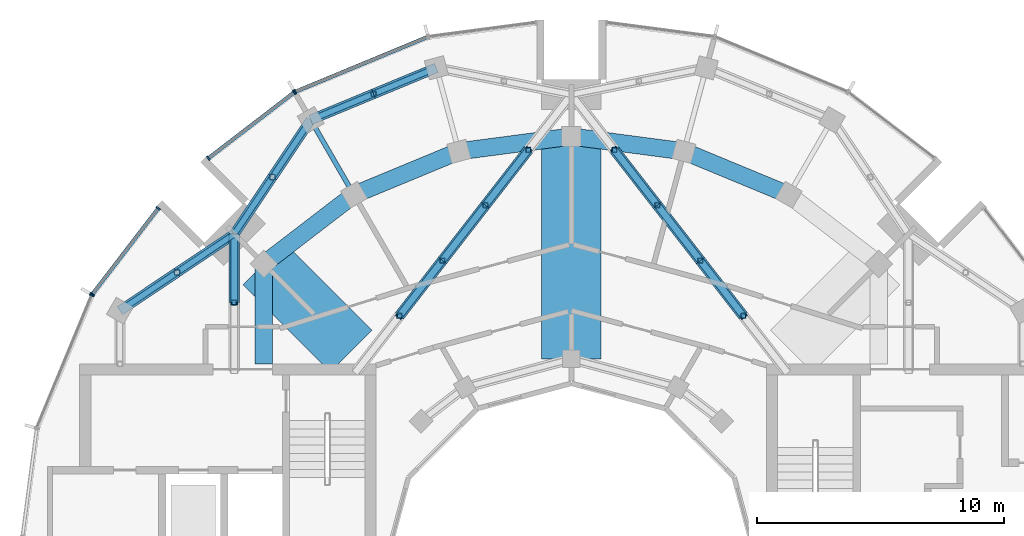
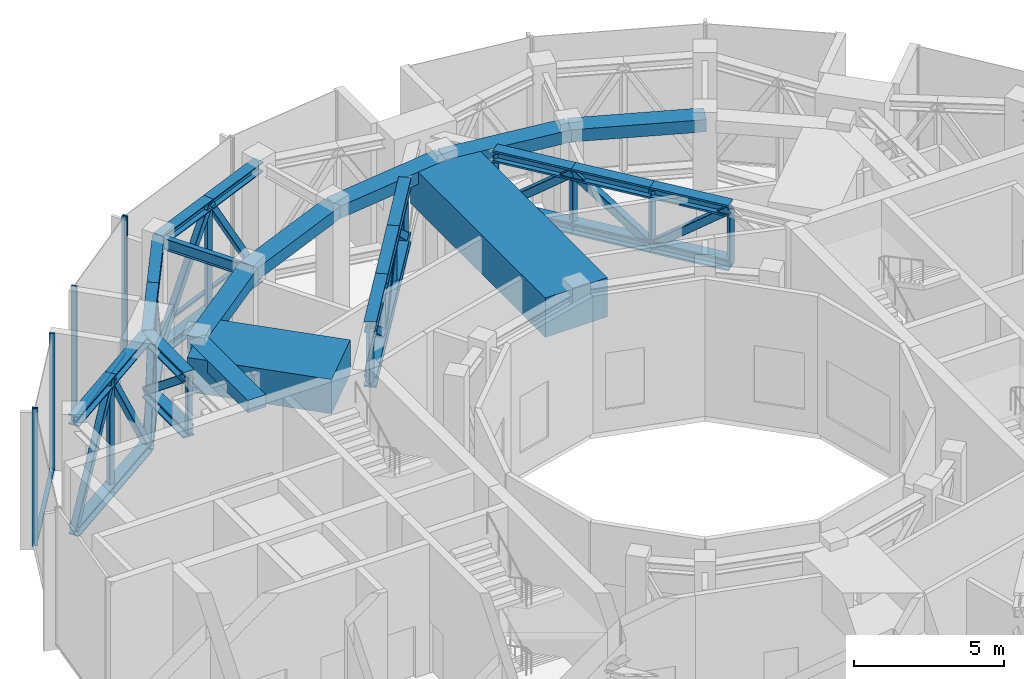
# One storey, part 7 of 17: 60 members, 9 beams, 4 elements without a shape of their own.
"""IFC4 building model written with IfcOpenShell, lengths in metres."""

from ifc_helpers import new_model, si_unit, direction, frame, origin, origin_2d, place, context, subcontext, project, spatial, rectangle, hollow_rectangle, i_section, extrude, material, layer, layer_set, material_profile, profile_set, type_object, element, aggregate, save


model = new_model("IFC4")

# Units and contexts
model_context = context("Model", 3, precision=1e-05, world=origin(), true_north=direction((0.0, 1.0)))
body_context = subcontext(model_context, "Body", "Model", "MODEL_VIEW")
ifc_project = project(units=[si_unit("LENGTHUNIT", "METRE"), si_unit("AREAUNIT", "SQUARE_METRE"), si_unit("VOLUMEUNIT", "CUBIC_METRE"), si_unit("PLANEANGLEUNIT", "RADIAN"), si_unit("MASSUNIT", "GRAM", prefix="KILO")], contexts=[model_context])

# Site, building, storey
site_placement = place(None, origin())
site = spatial("IfcSite", under=ifc_project, at=site_placement, CompositionType="ELEMENT")
building_placement = place(site_placement, origin())
building = spatial("IfcBuilding", under=site, at=building_placement, Name="Torre Brocal", CompositionType="ELEMENT")
storey_placement = place(building_placement, frame((0.0, 0.0, 309.300048828125)))
storey = spatial("IfcBuildingStorey", under=building, at=storey_placement, Name="L71", CompositionType="ELEMENT", Elevation=309.300048828125)

# Members
ifc_material_1 = material(Name="Steel A500 Grade C", Category="steel")
ifc_material_profile_1 = material_profile(ifc_material_1, hollow_rectangle(XDim=0.203125, YDim=0.203125, WallThickness=0.01171875, InnerFilletRadius=0.01171875, OuterFilletRadius=0.023681640625, at=origin_2d()), Name="HSS8X8X1/2")
ifc_profile_set_1 = profile_set([ifc_material_profile_1], Name="Steel A500 Grade C")
member_type_1 = type_object("IfcMemberType", Name="BELT 3 POST HSS8X8X1/2", PredefinedType="POST", material=ifc_profile_set_1)
for number, where, z_axis, x_axis, name in (
    (1, (71.994384765625, 94.3271484375, 0.599365234375), (0.0, 0.0, 1.0), (1.0, 0.0, 0.0), "Member BT3-P06"),
    (2, (67.9013671875, 90.960205078125, 0.599365234375), (0.0, 0.0, 1.0), (1.0, 0.0, 0.0), "Member BT3-P07"),
    (3, (64.039794921875, 87.0986328125, 0.599365234375), (0.0, 0.0, 1.0), (1.0, 0.0, 0.0), "Member BT3-P08"),
):
    element("IfcMember", number, at=place(storey_placement, frame(where, z_axis=z_axis, x_axis=x_axis)), inside=storey, type_object=member_type_1, Name=name, PredefinedType="POST", context=body_context, shape_type="SweptSolid", body=[
        extrude(hollow_rectangle(XDim=0.203125, YDim=0.203125, WallThickness=0.01171875, InnerFilletRadius=0.01171875, OuterFilletRadius=0.023681640625, at=origin_2d()), origin(), (0.0, 0.0, 1.0), 4.481201171875),
    ])

# Curtain wall, member
ifc_material_2 = material(Name="Aluminium and glass", Category="aluminium")
ifc_layer = layer(ifc_material_2, 0.199951171875)
ifc_layer_set = layer_set([ifc_layer], Name="Aluminium and glass")
curtain_wall_type = type_object("IfcCurtainWallType", Name="CW-1 CURTAIN WALL 5600 HIGH", PredefinedType="NOTDEFINED", material=ifc_layer_set)
curtain_wall_1_placement = place(storey_placement, origin())
curtain_wall_1 = element("IfcCurtainWall", 4, at=curtain_wall_1_placement, inside=storey, type_object=curtain_wall_type, Name="CW-1 RUN 8", PredefinedType="NOTDEFINED")
ifc_material_3 = material(Name="Aluminium, dark anodised", Category="aluminium")
ifc_material_profile_2 = material_profile(ifc_material_3, rectangle(XDim=0.199951171875, YDim=0.06005859375, at=origin_2d()), Name="CW-1 MULLION 60X200")
ifc_profile_set_2 = profile_set([ifc_material_profile_2], Name="Aluminium, dark anodised")
member_type_2 = type_object("IfcMemberType", Name="CW-1 MULLION 60X200", PredefinedType="MULLION", material=ifc_profile_set_2)
member_1_placement = place(storey_placement, frame((68.828125, 94.40966796875, 0.0), z_axis=(0.0, 0.0, 1.0), x_axis=(0.382683432284, -0.923879532545, 0.0)))
member_1 = element("IfcMember", 5, at=member_1_placement, type_object=member_type_2, Name="CW1-2 mullion 2", PredefinedType="MULLION", context=body_context, shape_type="SweptSolid", body=[
    extrude(rectangle(XDim=0.199951171875, YDim=0.06005859375, at=origin_2d()), origin(), (0.0, 0.0, 1.0), 5.599853515625),
])

# Curtain wall, members
curtain_wall_2_placement = place(storey_placement, origin())
curtain_wall_2 = element("IfcCurtainWall", 6, at=curtain_wall_2_placement, inside=storey, type_object=curtain_wall_type, Name="CW-1 RUN 9", PredefinedType="NOTDEFINED")
member_2_placement = place(storey_placement, frame((68.776611328125, 94.3798828125, 0.0), z_axis=(0.0, 0.0, 1.0), x_axis=(0.608761429064, -0.793353340249, 0.0)))
member_2 = element("IfcMember", 7, at=member_2_placement, type_object=member_type_2, Name="CW1-2 mullion 1", PredefinedType="MULLION", context=body_context, shape_type="SweptSolid", body=[
    extrude(rectangle(XDim=0.199951171875, YDim=0.06005859375, at=origin_2d()), origin(), (0.0, 0.0, 1.0), 5.599853515625),
])
member_3_placement = place(storey_placement, frame((65.305419921875, 91.716552734375, 0.0), z_axis=(0.0, 0.0, 1.0), x_axis=(0.608761429064, -0.793353340249, 0.0)))
member_3 = element("IfcMember", 8, at=member_3_placement, type_object=member_type_2, Name="CW1-2 mullion 2", PredefinedType="MULLION", context=body_context, shape_type="SweptSolid", body=[
    extrude(rectangle(XDim=0.199951171875, YDim=0.06005859375, at=origin_2d()), origin(), (0.0, 0.0, 1.0), 5.599853515625),
])

curtain_wall_3_placement = place(storey_placement, origin())
curtain_wall_3 = element("IfcCurtainWall", 9, at=curtain_wall_3_placement, inside=storey, type_object=curtain_wall_type, Name="CW-1 RUN 10", PredefinedType="NOTDEFINED")
member_4_placement = place(storey_placement, frame((63.283447265625, 89.694580078125, 0.0), z_axis=(0.0, 0.0, 1.0), x_axis=(0.793353340249, -0.608761429064, 0.0)))
member_4 = element("IfcMember", 10, at=member_4_placement, type_object=member_type_2, Name="CW1-2 mullion 1", PredefinedType="MULLION", context=body_context, shape_type="SweptSolid", body=[
    extrude(rectangle(XDim=0.199951171875, YDim=0.06005859375, at=origin_2d()), origin(), (0.0, 0.0, 1.0), 5.599853515625),
])
member_5_placement = place(storey_placement, frame((60.6201171875, 86.223388671875, 0.0), z_axis=(0.0, 0.0, 1.0), x_axis=(0.793353340249, -0.608761429064, 0.0)))
member_5 = element("IfcMember", 11, at=member_5_placement, type_object=member_type_2, Name="CW1-2 mullion 2", PredefinedType="MULLION", context=body_context, shape_type="SweptSolid", body=[
    extrude(rectangle(XDim=0.199951171875, YDim=0.06005859375, at=origin_2d()), origin(), (0.0, 0.0, 1.0), 5.599853515625),
])

# Curtain wall, member
curtain_wall_4_placement = place(storey_placement, origin())
curtain_wall_4 = element("IfcCurtainWall", 12, at=curtain_wall_4_placement, inside=storey, type_object=curtain_wall_type, Name="CW-1 RUN 11", PredefinedType="NOTDEFINED")
member_6_placement = place(storey_placement, frame((60.59033203125, 86.171875, 0.0), z_axis=(0.0, 0.0, 1.0), x_axis=(0.923879532545, -0.382683432284, 0.0)))
member_6 = element("IfcMember", 13, at=member_6_placement, type_object=member_type_2, Name="CW1-2 mullion 1", PredefinedType="MULLION", context=body_context, shape_type="SweptSolid", body=[
    extrude(rectangle(XDim=0.199951171875, YDim=0.06005859375, at=origin_2d()), origin(), (0.0, 0.0, 1.0), 5.599853515625),
])
aggregate(curtain_wall_4, [member_6])

# Member
ifc_material_4 = material(Name="Aluminium, dark anodised", Category="aluminium")
ifc_material_profile_3 = material_profile(ifc_material_4, rectangle(XDim=0.159912109375, YDim=0.080078125, at=origin_2d()), Name="CW-1 TRANSOM 160X80")
ifc_profile_set_3 = profile_set([ifc_material_profile_3], Name="Aluminium, dark anodised")
member_type_3 = type_object("IfcMemberType", Name="CW-1 TRANSOM 160X80", PredefinedType="USERDEFINED", material=ifc_profile_set_3)
member_7_placement = place(storey_placement, frame((74.147216796875, 96.613037109375, 0.0400390625), z_axis=(-0.923868236854, -0.382710701355, 0.0), x_axis=(0.382710701355, -0.923868236854, 0.0)))
member_7 = element("IfcMember", 14, at=member_7_placement, type_object=member_type_3, Name="CW1-2 transom 1.1", ObjectType="TRANSOM", PredefinedType="USERDEFINED", context=body_context, shape_type="SweptSolid", body=[
    extrude(rectangle(XDim=0.159912109375, YDim=0.080078125, at=origin_2d()), origin(), (0.0, 0.0, 1.0), 5.727294921875),
])

aggregate(curtain_wall_1, [member_1, member_7])

member_8_placement = place(storey_placement, frame((68.7529296875, 94.36181640625, 0.0400390625), z_axis=(-0.793332201462, -0.608788976677, 0.0), x_axis=(0.608788976677, -0.793332201462, 0.0)))
member_8 = element("IfcMember", 15, at=member_8_placement, type_object=member_type_3, Name="CW1-2 transom 1.1", ObjectType="TRANSOM", PredefinedType="USERDEFINED", context=body_context, shape_type="SweptSolid", body=[
    extrude(rectangle(XDim=0.159912109375, YDim=0.080078125, at=origin_2d()), origin(), (0.0, 0.0, 1.0), 4.3154296875),
])

aggregate(curtain_wall_2, [member_2, member_3, member_8])

member_9_placement = place(storey_placement, frame((63.265380859375, 89.670654296875, 0.0400390625), z_axis=(-0.608788976677, -0.793332201462, 0.0), x_axis=(0.793332201462, -0.608788976677, 0.0)))
member_9 = element("IfcMember", 16, at=member_9_placement, type_object=member_type_3, Name="CW1-2 transom 1.1", ObjectType="TRANSOM", PredefinedType="USERDEFINED", context=body_context, shape_type="SweptSolid", body=[
    extrude(rectangle(XDim=0.159912109375, YDim=0.080078125, at=origin_2d()), origin(), (0.0, 0.0, 1.0), 4.3154296875),
])

aggregate(curtain_wall_3, [member_4, member_5, member_9])

# Members
ifc_material_5 = material(Name="Steel A500 Grade C", Category="steel")
ifc_material_profile_4 = material_profile(ifc_material_5, hollow_rectangle(XDim=0.203125, YDim=0.203125, WallThickness=0.01171875, InnerFilletRadius=0.01171875, OuterFilletRadius=0.023681640625, at=origin_2d()), Name="HSS8X8X1/2")
ifc_profile_set_4 = profile_set([ifc_material_profile_4], Name="Steel A500 Grade C")
member_type_4 = type_object("IfcMemberType", Name="OUTRIGGER 3 POST HSS8X8X1/2", PredefinedType="POST", material=ifc_profile_set_4)
for number, where, z_axis, x_axis, name in (
    (17, (86.9599609375, 85.340087890625, 2.832275390625), (0.0, 0.0, 1.0), (1.0, 0.0, 0.0), "Member OT3-P02"),
    (18, (85.219970703125, 87.580078125, 2.832275390625), (0.0, 0.0, 1.0), (1.0, 0.0, 0.0), "Member OT3-P03"),
    (19, (83.47998046875, 89.820068359375, 2.832275390625), (0.0, 0.0, 1.0), (1.0, 0.0, 0.0), "Member OT3-P04"),
    (20, (81.739990234375, 92.06005859375, 2.832275390625), (0.0, 0.0, 1.0), (1.0, 0.0, 0.0), "Member OT3-P05"),
    (21, (73.0400390625, 85.340087890625, 2.832275390625), (0.0, 0.0, 1.0), (1.0, 0.0, 0.0), "Member OT3-P06"),
    (22, (74.780029296875, 87.580078125, 2.832275390625), (0.0, 0.0, 1.0), (1.0, 0.0, 0.0), "Member OT3-P07"),
    (23, (76.52001953125, 89.820068359375, 2.832275390625), (0.0, 0.0, 1.0), (1.0, 0.0, 0.0), "Member OT3-P08"),
    (24, (78.260009765625, 92.06005859375, 2.832275390625), (0.0, 0.0, 1.0), (1.0, 0.0, 0.0), "Member OT3-P09"),
):
    element("IfcMember", number, at=place(storey_placement, frame(where, z_axis=z_axis, x_axis=x_axis)), inside=storey, type_object=member_type_4, Name=name, PredefinedType="POST", context=body_context, shape_type="SweptSolid", body=[
        extrude(hollow_rectangle(XDim=0.203125, YDim=0.203125, WallThickness=0.01171875, InnerFilletRadius=0.01171875, OuterFilletRadius=0.023681640625, at=origin_2d()), origin(), (0.0, 0.0, 1.0), 2.21533203125),
    ])
member_10_placement = place(storey_placement, frame((66.352783203125, 85.87353515625, 2.817138671875), z_axis=(0.0, 0.0, 1.0), x_axis=(1.0, 0.0, 0.0)))
element("IfcMember", 25, at=member_10_placement, inside=storey, type_object=member_type_4, Name="Member OT3-P10", PredefinedType="POST", context=body_context, shape_type="SweptSolid", body=[
    extrude(hollow_rectangle(XDim=0.203125, YDim=0.203125, WallThickness=0.01171875, InnerFilletRadius=0.01171875, OuterFilletRadius=0.023681640625, at=origin_2d()), origin(), (0.0, 0.0, 1.0), 2.24560546875),
])

# Beams
ifc_material_6 = material(Name="Steel A992", Category="steel")
ifc_material_profile_5 = material_profile(ifc_material_6, i_section(OverallWidth=0.19287109375, OverallDepth=0.46728515625, WebThickness=0.011474609375, FlangeThickness=0.01904296875, at=origin_2d()), Name="W18X65")
ifc_profile_set_5 = profile_set([ifc_material_profile_5], Name="Steel A992")
beam_type_1 = type_object("IfcBeamType", Name="PLANT FLOOR BEAM TOP 5280 W18X65", PredefinedType="BEAM", material=ifc_profile_set_5)
beam_1_placement = place(storey_placement, frame((71.199951171875, 90.241943359375, 5.046142578125), z_axis=(-0.499980071345, 0.866036909293, 0.0), x_axis=(-0.866036909293, -0.499980071345, 0.0)))
element("IfcBeam", 26, at=beam_1_placement, inside=storey, type_object=beam_type_1, Name="Beam SF-03", PredefinedType="BEAM", context=body_context, shape_type="SweptSolid", body=[
    extrude(i_section(OverallWidth=0.19287109375, OverallDepth=0.46728515625, WebThickness=0.011474609375, FlangeThickness=0.01904296875, at=origin_2d()), origin(), (0.0, 0.0, 1.0), 3.500244140625),
])
ifc_material_7 = material(Name="Concrete C50", Category="concrete")
ifc_material_profile_6 = material_profile(ifc_material_7, rectangle(XDim=0.699951171875, YDim=0.5, at=origin_2d()), Name="RC 700X500")
ifc_profile_set_6 = profile_set([ifc_material_profile_6], Name="Concrete C50")
beam_type_2 = type_object("IfcBeamType", Name="RC BEAM 700X500 C50 TOP 5280", PredefinedType="BEAM", material=ifc_profile_set_6)
beam_2_placement = place(storey_placement, frame((88.800048828125, 90.241943359375, 5.030029296875), z_axis=(-0.923878240166, 0.382686552348, 0.0), x_axis=(-0.382686552348, -0.923878240166, 0.0)))
element("IfcBeam", 27, at=beam_2_placement, inside=storey, type_object=beam_type_2, Name="Beam BT-36", PredefinedType="BEAM", context=body_context, shape_type="SweptSolid", body=[
    extrude(rectangle(XDim=0.699951171875, YDim=0.5, at=origin_2d()), origin(), (0.0, 0.0, 1.0), 4.5947265625),
])
for number, where, z_axis, x_axis, name in (
    (28, (84.55517578125, 92.000244140625, 5.030029296875), (-0.991440544449, 0.130558978332, 0.0), (-0.130558978332, -0.991440544449, 0.0), "Beam BT-36"),
    (29, (80.0, 92.60009765625, 5.030029296875), (-0.991440544449, -0.130558978332, 0.0), (0.130558978332, -0.991440544449, 0.0), "Beam BT-36"),
):
    element("IfcBeam", number, at=place(storey_placement, frame(where, z_axis=z_axis, x_axis=x_axis)), inside=storey, type_object=beam_type_2, Name=name, PredefinedType="BEAM", context=body_context, shape_type="SweptSolid", body=[
        extrude(rectangle(XDim=0.699951171875, YDim=0.5, at=origin_2d()), origin(), (0.0, 0.0, 1.0), 4.594482421875),
    ])
beam_3_placement = place(storey_placement, frame((75.44482421875, 92.000244140625, 5.030029296875), z_axis=(-0.923878240166, -0.382686552348, 0.0), x_axis=(0.382686552348, -0.923878240166, 0.0)))
element("IfcBeam", 30, at=beam_3_placement, inside=storey, type_object=beam_type_2, Name="Beam BT-36", PredefinedType="BEAM", context=body_context, shape_type="SweptSolid", body=[
    extrude(rectangle(XDim=0.699951171875, YDim=0.5, at=origin_2d()), origin(), (0.0, 0.0, 1.0), 4.5947265625),
])
beam_4_placement = place(storey_placement, frame((71.199951171875, 90.241943359375, 5.030029296875), z_axis=(-0.793358265959, -0.6087550097, 0.0), x_axis=(0.6087550097, -0.793358265959, 0.0)))
element("IfcBeam", 31, at=beam_4_placement, inside=storey, type_object=beam_type_2, Name="Beam BT-36", PredefinedType="BEAM", context=body_context, shape_type="SweptSolid", body=[
    extrude(rectangle(XDim=0.699951171875, YDim=0.5, at=origin_2d()), origin(), (0.0, 0.0, 1.0), 4.594482421875),
])
beam_5_placement = place(storey_placement, frame((67.554931640625, 87.445068359375, 5.030029296875), z_axis=(0.0, -1.0, 0.0), x_axis=(1.0, 0.0, 0.0)))
element("IfcBeam", 32, at=beam_5_placement, inside=storey, type_object=beam_type_2, Name="Beam BT-36", PredefinedType="BEAM", context=body_context, shape_type="SweptSolid", body=[
    extrude(rectangle(XDim=0.699951171875, YDim=0.5, at=origin_2d()), origin(), (0.0, 0.0, 1.0), 4.045166015625),
])
ifc_material_8 = material(Name="Concrete C60", Category="concrete")
ifc_material_profile_7 = material_profile(ifc_material_8, rectangle(XDim=2.39990234375, YDim=1.39990234375, at=origin_2d()), Name="RC 2400X1400")
ifc_profile_set_7 = profile_set([ifc_material_profile_7], Name="Concrete C60")
beam_type_3 = type_object("IfcBeamType", Name="RC TRANSFER GIRDER 2400X1400 C60 TOP 5280", PredefinedType="BEAM", material=ifc_profile_set_7)
beam_6_placement = place(storey_placement, frame((71.090576171875, 83.909423828125, 4.579833984375), z_axis=(-0.707106781187, 0.707106781187, 0.0), x_axis=(-0.707106781187, -0.707106781187, 0.0)))
element("IfcBeam", 33, at=beam_6_placement, inside=storey, type_object=beam_type_3, Name="Beam TG-09", PredefinedType="BEAM", context=body_context, shape_type="SweptSolid", body=[
    extrude(rectangle(XDim=2.39990234375, YDim=1.39990234375, at=origin_2d()), origin(), (0.0, 0.0, 1.0), 5.000244140625),
])
ifc_material_9 = material(Name="Concrete C60", Category="concrete")
ifc_material_profile_8 = material_profile(ifc_material_9, rectangle(XDim=2.39990234375, YDim=1.60009765625, at=origin_2d()), Name="RC 2400X1600")
ifc_profile_set_8 = profile_set([ifc_material_profile_8], Name="Concrete C60")
beam_type_4 = type_object("IfcBeamType", Name="RC TRANSFER GIRDER 2400X1600 C60 TOP 5280", PredefinedType="BEAM", material=ifc_profile_set_8)
beam_7_placement = place(storey_placement, frame((80.0, 83.60009765625, 4.47998046875), z_axis=(0.0, 1.0, 0.0), x_axis=(-1.0, 0.0, 0.0)))
element("IfcBeam", 34, at=beam_7_placement, inside=storey, type_object=beam_type_4, Name="Beam TG-10", PredefinedType="BEAM", context=body_context, shape_type="SweptSolid", body=[
    extrude(rectangle(XDim=2.39990234375, YDim=1.60009765625, at=origin_2d()), origin(), (0.0, 0.0, 1.0), 9.0),
])

# Members
ifc_material_10 = material(Name="Steel A992", Category="steel")
ifc_material_profile_9 = material_profile(ifc_material_10, i_section(OverallWidth=0.4013671875, OverallDepth=0.398681640625, WebThickness=0.02490234375, FlangeThickness=0.03955078125, at=origin_2d()), Name="W14X211")
ifc_profile_set_9 = profile_set([ifc_material_profile_9], Name="Steel A992")
member_type_5 = type_object("IfcMemberType", Name="TRUSS BOTTOM CHORD W14X211", PredefinedType="CHORD", material=ifc_profile_set_9)
for number, where, z_axis, x_axis, name in (
    (35, (74.538818359375, 95.381103515625, 0.599365234375), (-0.923877456038, -0.382688445377, 0.0), (0.382688445377, -0.923877456038, 0.0), "Member BT3-C22"),
    (36, (71.994384765625, 94.3271484375, 0.599365234375), (-0.923877456038, -0.382688445377, 0.0), (0.382688445377, -0.923877456038, 0.0), "Member BT3-C24"),
):
    element("IfcMember", number, at=place(storey_placement, frame(where, z_axis=z_axis, x_axis=x_axis)), inside=storey, type_object=member_type_5, Name=name, PredefinedType="CHORD", context=body_context, shape_type="SweptSolid", body=[
        extrude(i_section(OverallWidth=0.4013671875, OverallDepth=0.398681640625, WebThickness=0.02490234375, FlangeThickness=0.03955078125, at=origin_2d()), origin(), (0.0, 0.0, 1.0), 2.754150390625),
    ])
for number, where, z_axis, x_axis, name in (
    (37, (69.449951171875, 93.273193359375, 0.599365234375), (-0.556338604247, -0.830955689206, 0.0), (0.830955689206, -0.556338604247, 0.0), "Member BT3-C26"),
    (38, (67.9013671875, 90.960205078125, 0.599365234375), (-0.556338604247, -0.830955689206, 0.0), (0.830955689206, -0.556338604247, 0.0), "Member BT3-C28"),
    (39, (66.352783203125, 88.647216796875, 0.599365234375), (-0.830955689206, -0.556338604247, 0.0), (0.556338604247, -0.830955689206, 0.0), "Member BT3-C30"),
    (40, (64.039794921875, 87.0986328125, 0.599365234375), (-0.830955689206, -0.556338604247, 0.0), (0.556338604247, -0.830955689206, 0.0), "Member BT3-C32"),
):
    element("IfcMember", number, at=place(storey_placement, frame(where, z_axis=z_axis, x_axis=x_axis)), inside=storey, type_object=member_type_5, Name=name, PredefinedType="CHORD", context=body_context, shape_type="SweptSolid", body=[
        extrude(i_section(OverallWidth=0.4013671875, OverallDepth=0.398681640625, WebThickness=0.02490234375, FlangeThickness=0.03955078125, at=origin_2d()), origin(), (0.0, 0.0, 1.0), 2.783447265625),
    ])
ifc_material_11 = material(Name="Steel A992", Category="steel")
ifc_material_profile_10 = material_profile(ifc_material_11, i_section(OverallWidth=0.41162109375, OverallDepth=0.434326171875, WebThickness=0.035888671875, FlangeThickness=0.057373046875, at=origin_2d()), Name="W14X311")
ifc_profile_set_10 = profile_set([ifc_material_profile_10], Name="Steel A992")
member_type_6 = type_object("IfcMemberType", Name="TRUSS BOTTOM CHORD W14X311", PredefinedType="CHORD", material=ifc_profile_set_10)
member_11_placement = place(storey_placement, frame((66.352783203125, 85.87353515625, 2.817138671875), z_axis=(0.0, 1.0, 0.0), x_axis=(-1.0, 0.0, 0.0)))
element("IfcMember", 41, at=member_11_placement, inside=storey, type_object=member_type_6, Name="Member OT3-C28", PredefinedType="CHORD", context=body_context, shape_type="SweptSolid", body=[
    extrude(i_section(OverallWidth=0.41162109375, OverallDepth=0.434326171875, WebThickness=0.035888671875, FlangeThickness=0.057373046875, at=origin_2d()), origin(), (0.0, 0.0, 1.0), 2.773681640625),
])
ifc_material_12 = material(Name="Steel A992", Category="steel")
ifc_material_profile_11 = material_profile(ifc_material_12, i_section(OverallWidth=0.421630859375, OverallDepth=0.46484375, WebThickness=0.044921875, FlangeThickness=0.072509765625, at=origin_2d()), Name="W14X398")
ifc_profile_set_11 = profile_set([ifc_material_profile_11], Name="Steel A992")
member_type_7 = type_object("IfcMemberType", Name="TRUSS BOTTOM CHORD W14X398", PredefinedType="CHORD", material=ifc_profile_set_11)
for number, where, z_axis, x_axis, name in (
    (42, (86.9599609375, 85.340087890625, 2.832275390625), (-0.613451858445, 0.789732117474, 0.0), (-0.789732117474, -0.613451858445, 0.0), "Member OT3-C08"),
    (43, (85.219970703125, 87.580078125, 2.832275390625), (-0.613451858445, 0.789732117474, 0.0), (-0.789732117474, -0.613451858445, 0.0), "Member OT3-C10"),
    (44, (83.47998046875, 89.820068359375, 2.832275390625), (-0.613451858445, 0.789732117474, 0.0), (-0.789732117474, -0.613451858445, 0.0), "Member OT3-C12"),
    (45, (73.0400390625, 85.340087890625, 2.832275390625), (0.613451858445, 0.789732117474, 0.0), (-0.789732117474, 0.613451858445, 0.0), "Member OT3-C18"),
    (46, (74.780029296875, 87.580078125, 2.832275390625), (0.613451858445, 0.789732117474, 0.0), (-0.789732117474, 0.613451858445, 0.0), "Member OT3-C20"),
    (47, (76.52001953125, 89.820068359375, 2.832275390625), (0.613451858445, 0.789732117474, 0.0), (-0.789732117474, 0.613451858445, 0.0), "Member OT3-C22"),
):
    element("IfcMember", number, at=place(storey_placement, frame(where, z_axis=z_axis, x_axis=x_axis)), inside=storey, type_object=member_type_7, Name=name, PredefinedType="CHORD", context=body_context, shape_type="SweptSolid", body=[
        extrude(i_section(OverallWidth=0.421630859375, OverallDepth=0.46484375, WebThickness=0.044921875, FlangeThickness=0.072509765625, at=origin_2d()), origin(), (0.0, 0.0, 1.0), 2.83642578125),
    ])
ifc_material_13 = material(Name="Steel A500 Grade C", Category="steel")
ifc_material_profile_12 = material_profile(ifc_material_13, hollow_rectangle(XDim=0.25390625, YDim=0.25390625, WallThickness=0.01171875, InnerFilletRadius=0.01171875, OuterFilletRadius=0.023681640625, at=origin_2d()), Name="HSS10X10X1/2")
ifc_profile_set_12 = profile_set([ifc_material_profile_12], Name="Steel A500 Grade C")
member_type_8 = type_object("IfcMemberType", Name="TRUSS DIAGONAL HSS10X10X1/2", PredefinedType="BRACE", material=ifc_profile_set_12)
for number, where, z_axis, x_axis, name in (
    (48, (74.538818359375, 95.381103515625, 0.599365234375), (-0.483745494743, -0.200377019843, 0.851962056804), (0.382688445377, -0.923877456038, 0.0), "Member BT3-D11"),
    (49, (71.994384765625, 94.3271484375, 5.08056640625), (-0.483745494743, -0.200377019843, -0.851962056804), (0.382688445377, -0.923877456038, 0.0), "Member BT3-D12"),
):
    element("IfcMember", number, at=place(storey_placement, frame(where, z_axis=z_axis, x_axis=x_axis)), inside=storey, type_object=member_type_8, Name=name, PredefinedType="BRACE", context=body_context, shape_type="SweptSolid", body=[
        extrude(hollow_rectangle(XDim=0.25390625, YDim=0.25390625, WallThickness=0.01171875, InnerFilletRadius=0.01171875, OuterFilletRadius=0.023681640625, at=origin_2d()), origin(), (0.0, 0.0, 1.0), 5.259765625),
    ])
for number, where, z_axis, x_axis, name in (
    (50, (69.449951171875, 93.273193359375, 0.599365234375), (-0.293551613622, -0.438453095926, 0.849462378692), (0.830955689206, -0.556338604247, 0.0), "Member BT3-D13"),
    (51, (67.9013671875, 90.960205078125, 5.08056640625), (-0.293551613622, -0.438453095926, -0.849462378692), (0.830955689206, -0.556338604247, 0.0), "Member BT3-D14"),
    (52, (66.352783203125, 88.647216796875, 0.599365234375), (-0.438453095926, -0.293551613622, 0.849462378692), (0.556338604247, -0.830955689206, 0.0), "Member BT3-D15"),
    (53, (64.039794921875, 87.0986328125, 5.08056640625), (-0.438453095926, -0.293551613622, -0.849462378692), (0.556338604247, -0.830955689206, 0.0), "Member BT3-D16"),
):
    element("IfcMember", number, at=place(storey_placement, frame(where, z_axis=z_axis, x_axis=x_axis)), inside=storey, type_object=member_type_8, Name=name, PredefinedType="BRACE", context=body_context, shape_type="SweptSolid", body=[
        extrude(hollow_rectangle(XDim=0.25390625, YDim=0.25390625, WallThickness=0.01171875, InnerFilletRadius=0.01171875, OuterFilletRadius=0.023681640625, at=origin_2d()), origin(), (0.0, 0.0, 1.0), 5.275390625),
    ])
ifc_material_14 = material(Name="Steel A500 Grade C", Category="steel")
ifc_material_profile_13 = material_profile(ifc_material_14, hollow_rectangle(XDim=0.3046875, YDim=0.3046875, WallThickness=0.014892578125, InnerFilletRadius=0.014892578125, OuterFilletRadius=0.029541015625, at=origin_2d()), Name="HSS12X12X5/8")
ifc_profile_set_13 = profile_set([ifc_material_profile_13], Name="Steel A500 Grade C")
member_type_9 = type_object("IfcMemberType", Name="TRUSS DIAGONAL HSS12X12X5/8", PredefinedType="BRACE", material=ifc_profile_set_13)
for number, where, z_axis, x_axis, name in (
    (54, (86.9599609375, 85.340087890625, 5.047607421875), (-0.483464594084, 0.622391981299, -0.615540581832), (-0.789732117474, -0.613451858445, 0.0), "Member OT3-D04"),
    (55, (85.219970703125, 87.580078125, 2.832275390625), (-0.483464594084, 0.622391981299, 0.615540581832), (-0.789732117474, -0.613451858445, 0.0), "Member OT3-D05"),
    (56, (83.47998046875, 89.820068359375, 5.047607421875), (-0.483464594084, 0.622391981299, -0.615540581832), (-0.789732117474, -0.613451858445, 0.0), "Member OT3-D06"),
    (57, (73.0400390625, 85.340087890625, 5.047607421875), (0.483464594084, 0.622391981299, -0.615540581832), (-0.789732117474, 0.613451858445, 0.0), "Member OT3-D09"),
    (58, (74.780029296875, 87.580078125, 2.832275390625), (0.483464594084, 0.622391981299, 0.615540581832), (-0.789732117474, 0.613451858445, 0.0), "Member OT3-D10"),
    (59, (76.52001953125, 89.820068359375, 5.047607421875), (0.483464594084, 0.622391981299, -0.615540581832), (-0.789732117474, 0.613451858445, 0.0), "Member OT3-D11"),
):
    element("IfcMember", number, at=place(storey_placement, frame(where, z_axis=z_axis, x_axis=x_axis)), inside=storey, type_object=member_type_9, Name=name, PredefinedType="BRACE", context=body_context, shape_type="SweptSolid", body=[
        extrude(hollow_rectangle(XDim=0.3046875, YDim=0.3046875, WallThickness=0.014892578125, InnerFilletRadius=0.014892578125, OuterFilletRadius=0.029541015625, at=origin_2d()), origin(), (0.0, 0.0, 1.0), 3.59912109375),
    ])
member_12_placement = place(storey_placement, frame((66.352783203125, 85.87353515625, 5.062744140625), z_axis=(0.0, 0.777211414075, -0.629239555203), x_axis=(-1.0, 0.0, 0.0)))
element("IfcMember", 60, at=member_12_placement, inside=storey, type_object=member_type_9, Name="Member OT3-D14", PredefinedType="BRACE", context=body_context, shape_type="SweptSolid", body=[
    extrude(hollow_rectangle(XDim=0.3046875, YDim=0.3046875, WallThickness=0.014892578125, InnerFilletRadius=0.014892578125, OuterFilletRadius=0.029541015625, at=origin_2d()), origin(), (0.0, 0.0, 1.0), 3.56884765625),
])
ifc_material_15 = material(Name="Steel A992", Category="steel")
ifc_material_profile_14 = material_profile(ifc_material_15, i_section(OverallWidth=0.4013671875, OverallDepth=0.398681640625, WebThickness=0.02490234375, FlangeThickness=0.03955078125, at=origin_2d()), Name="W14X211")
ifc_profile_set_14 = profile_set([ifc_material_profile_14], Name="Steel A992")
member_type_10 = type_object("IfcMemberType", Name="TRUSS TOP CHORD W14X211", PredefinedType="CHORD", material=ifc_profile_set_14)
for number, where, z_axis, x_axis, name in (
    (61, (74.538818359375, 95.381103515625, 5.08056640625), (-0.923877456038, -0.382688445377, 0.0), (0.382688445377, -0.923877456038, 0.0), "Member BT3-C21"),
    (62, (71.994384765625, 94.3271484375, 5.08056640625), (-0.923877456038, -0.382688445377, 0.0), (0.382688445377, -0.923877456038, 0.0), "Member BT3-C23"),
):
    element("IfcMember", number, at=place(storey_placement, frame(where, z_axis=z_axis, x_axis=x_axis)), inside=storey, type_object=member_type_10, Name=name, PredefinedType="CHORD", context=body_context, shape_type="SweptSolid", body=[
        extrude(i_section(OverallWidth=0.4013671875, OverallDepth=0.398681640625, WebThickness=0.02490234375, FlangeThickness=0.03955078125, at=origin_2d()), origin(), (0.0, 0.0, 1.0), 2.754150390625),
    ])
for number, where, z_axis, x_axis, name in (
    (63, (69.449951171875, 93.273193359375, 5.08056640625), (-0.556338604247, -0.830955689206, 0.0), (0.830955689206, -0.556338604247, 0.0), "Member BT3-C25"),
    (64, (67.9013671875, 90.960205078125, 5.08056640625), (-0.556338604247, -0.830955689206, 0.0), (0.830955689206, -0.556338604247, 0.0), "Member BT3-C27"),
    (65, (66.352783203125, 88.647216796875, 5.08056640625), (-0.830955689206, -0.556338604247, 0.0), (0.556338604247, -0.830955689206, 0.0), "Member BT3-C29"),
    (66, (64.039794921875, 87.0986328125, 5.08056640625), (-0.830955689206, -0.556338604247, 0.0), (0.556338604247, -0.830955689206, 0.0), "Member BT3-C31"),
):
    element("IfcMember", number, at=place(storey_placement, frame(where, z_axis=z_axis, x_axis=x_axis)), inside=storey, type_object=member_type_10, Name=name, PredefinedType="CHORD", context=body_context, shape_type="SweptSolid", body=[
        extrude(i_section(OverallWidth=0.4013671875, OverallDepth=0.398681640625, WebThickness=0.02490234375, FlangeThickness=0.03955078125, at=origin_2d()), origin(), (0.0, 0.0, 1.0), 2.783447265625),
    ])
ifc_material_16 = material(Name="Steel A992", Category="steel")
ifc_material_profile_15 = material_profile(ifc_material_16, i_section(OverallWidth=0.41162109375, OverallDepth=0.434326171875, WebThickness=0.035888671875, FlangeThickness=0.057373046875, at=origin_2d()), Name="W14X311")
ifc_profile_set_15 = profile_set([ifc_material_profile_15], Name="Steel A992")
member_type_11 = type_object("IfcMemberType", Name="TRUSS TOP CHORD W14X311", PredefinedType="CHORD", material=ifc_profile_set_15)
member_13_placement = place(storey_placement, frame((66.352783203125, 85.87353515625, 5.062744140625), z_axis=(0.0, 1.0, 0.0), x_axis=(-1.0, 0.0, 0.0)))
element("IfcMember", 67, at=member_13_placement, inside=storey, type_object=member_type_11, Name="Member OT3-C27", PredefinedType="CHORD", context=body_context, shape_type="SweptSolid", body=[
    extrude(i_section(OverallWidth=0.41162109375, OverallDepth=0.434326171875, WebThickness=0.035888671875, FlangeThickness=0.057373046875, at=origin_2d()), origin(), (0.0, 0.0, 1.0), 2.773681640625),
])
ifc_material_17 = material(Name="Steel A992", Category="steel")
ifc_material_profile_16 = material_profile(ifc_material_17, i_section(OverallWidth=0.421630859375, OverallDepth=0.46484375, WebThickness=0.044921875, FlangeThickness=0.072509765625, at=origin_2d()), Name="W14X398")
ifc_profile_set_16 = profile_set([ifc_material_profile_16], Name="Steel A992")
member_type_12 = type_object("IfcMemberType", Name="TRUSS TOP CHORD W14X398", PredefinedType="CHORD", material=ifc_profile_set_16)
for number, where, z_axis, x_axis, name in (
    (68, (86.9599609375, 85.340087890625, 5.047607421875), (-0.613451858445, 0.789732117474, 0.0), (-0.789732117474, -0.613451858445, 0.0), "Member OT3-C07"),
    (69, (85.219970703125, 87.580078125, 5.047607421875), (-0.613451858445, 0.789732117474, 0.0), (-0.789732117474, -0.613451858445, 0.0), "Member OT3-C09"),
    (70, (83.47998046875, 89.820068359375, 5.047607421875), (-0.613451858445, 0.789732117474, 0.0), (-0.789732117474, -0.613451858445, 0.0), "Member OT3-C11"),
    (71, (73.0400390625, 85.340087890625, 5.047607421875), (0.613451858445, 0.789732117474, 0.0), (-0.789732117474, 0.613451858445, 0.0), "Member OT3-C17"),
    (72, (74.780029296875, 87.580078125, 5.047607421875), (0.613451858445, 0.789732117474, 0.0), (-0.789732117474, 0.613451858445, 0.0), "Member OT3-C19"),
    (73, (76.52001953125, 89.820068359375, 5.047607421875), (0.613451858445, 0.789732117474, 0.0), (-0.789732117474, 0.613451858445, 0.0), "Member OT3-C21"),
):
    element("IfcMember", number, at=place(storey_placement, frame(where, z_axis=z_axis, x_axis=x_axis)), inside=storey, type_object=member_type_12, Name=name, PredefinedType="CHORD", context=body_context, shape_type="SweptSolid", body=[
        extrude(i_section(OverallWidth=0.421630859375, OverallDepth=0.46484375, WebThickness=0.044921875, FlangeThickness=0.072509765625, at=origin_2d()), origin(), (0.0, 0.0, 1.0), 2.83642578125),
    ])

save(model, "model.ifc")
